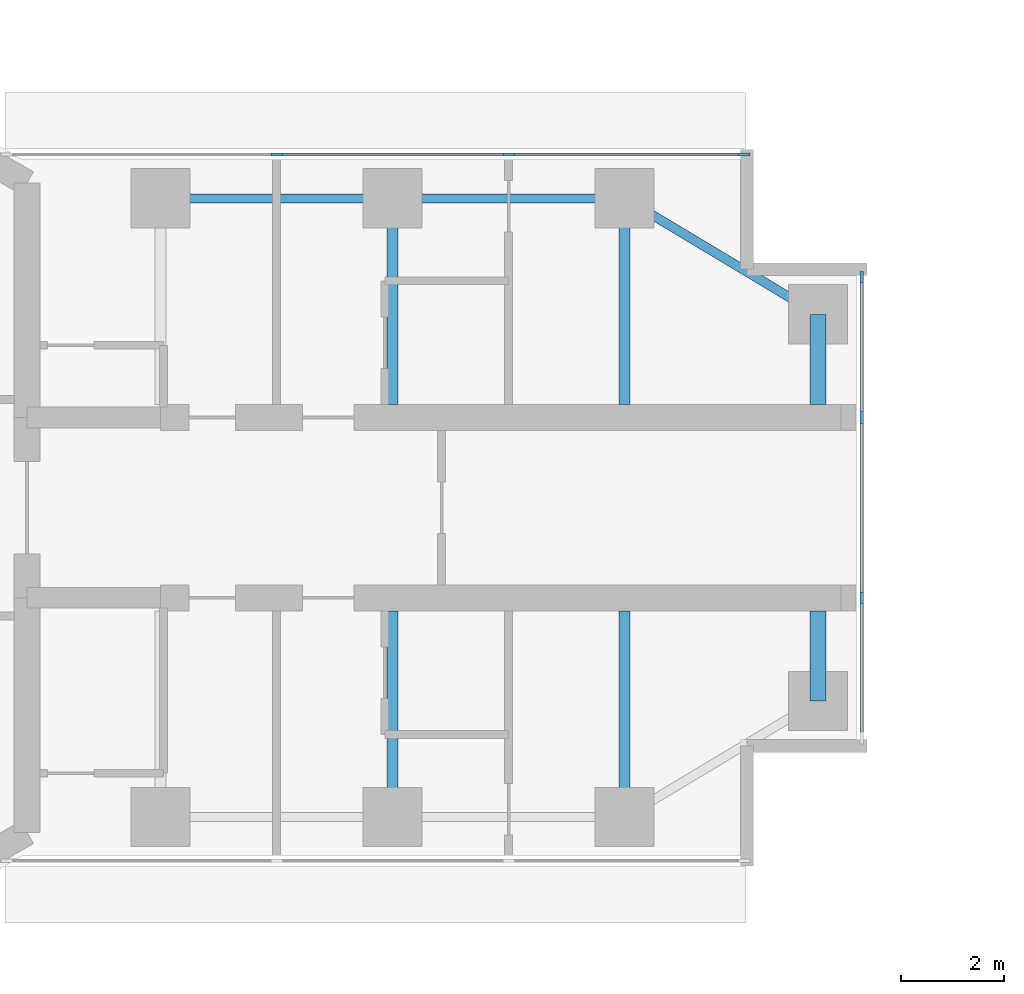
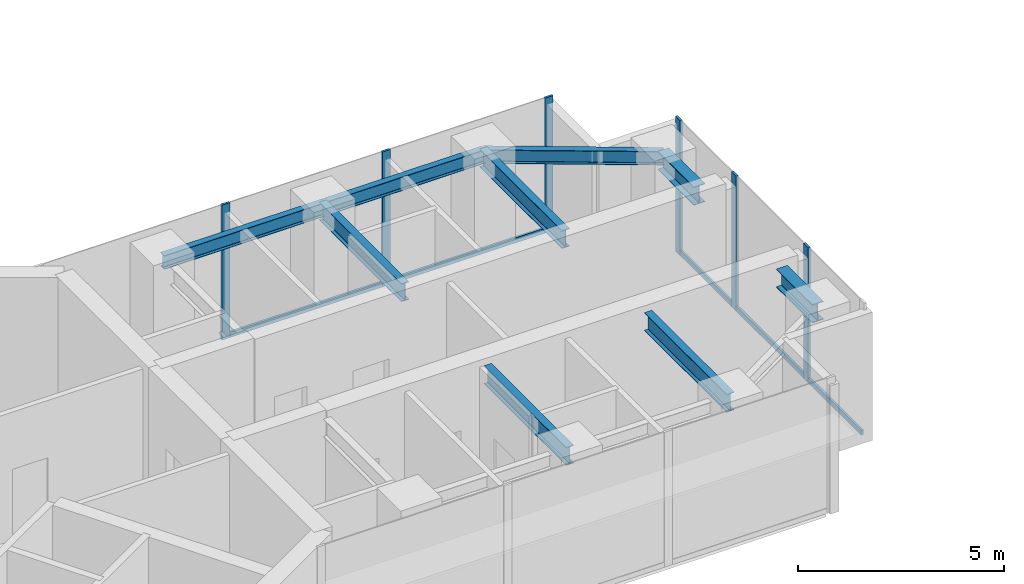
# One storey, part 7 of 17: 11 members, 9 beams, 2 elements without a shape of their own.
"""IFC4 building model written with IfcOpenShell, lengths in metres."""

from ifc_helpers import new_model, si_unit, direction, frame, origin, origin_2d, place, context, subcontext, project, spatial, rectangle, i_section, extrude, material, material_profile, profile_set, type_object, element, aggregate, save


model = new_model("IFC4")

# Units and contexts
model_context = context("Model", 3, precision=1e-05, world=origin(), true_north=direction((0.0, 1.0)))
body_context = subcontext(model_context, "Body", "Model", "MODEL_VIEW")
ifc_project = project(units=[si_unit("LENGTHUNIT", "METRE"), si_unit("AREAUNIT", "SQUARE_METRE"), si_unit("VOLUMEUNIT", "CUBIC_METRE"), si_unit("PLANEANGLEUNIT", "RADIAN"), si_unit("MASSUNIT", "GRAM", prefix="KILO")], contexts=[model_context])

# Site, building, storey
site_placement = place(None, origin())
site = spatial("IfcSite", under=ifc_project, at=site_placement, CompositionType="ELEMENT")
building_placement = place(site_placement, origin())
building = spatial("IfcBuilding", under=site, at=building_placement, Name="Upepo Twin Towers", CompositionType="ELEMENT")
storey_placement = place(building_placement, frame((0.0, 0.0, 214.5)))
storey = spatial("IfcBuildingStorey", under=building, at=storey_placement, Name="L52", CompositionType="ELEMENT", Elevation=214.5)

# Beams
ifc_material_1 = material(Name="Steel S355", Category="steel")
ifc_material_profile_1 = material_profile(ifc_material_1, i_section(OverallWidth=0.177978515625, OverallDepth=0.406494140625, WebThickness=0.0078125, FlangeThickness=0.0126953125, FilletRadius=0.01025390625, at=origin_2d()), Name="UB 406x178x60")
ifc_profile_set_1 = profile_set([ifc_material_profile_1], Name="Steel S355")
beam_type_1 = type_object("IfcBeamType", Name="Beam UB 406x178x60", PredefinedType="BEAM", material=ifc_profile_set_1)
for number, where, z_axis, x_axis, name in (
    (1, (13.5, 6.0, 3.5966796875), (1.0, 0.0, 0.0), (0.0, 1.0, 0.0), "T1 edge beam AL 13.5-18.0"),
    (2, (18.0, 6.0, 3.5966796875), (1.0, 0.0, 0.0), (0.0, 1.0, 0.0), "T1 edge beam AL 18.0-22.5"),
):
    element("IfcBeam", number, at=place(storey_placement, frame(where, z_axis=z_axis, x_axis=x_axis)), inside=storey, type_object=beam_type_1, Name=name, PredefinedType="BEAM", context=body_context, shape_type="SweptSolid", body=[
        extrude(i_section(OverallWidth=0.177978515625, OverallDepth=0.406494140625, WebThickness=0.0078125, FlangeThickness=0.0126953125, FilletRadius=0.01025390625, at=origin_2d()), origin(), (0.0, 0.0, 1.0), 4.5),
    ])
beam_placement = place(storey_placement, frame((22.5, 6.0, 3.5966796875), z_axis=(0.857492925713, -0.514495755428, 0.0), x_axis=(0.514495755428, 0.857492925713, 0.0)))
element("IfcBeam", 3, at=beam_placement, inside=storey, type_object=beam_type_1, Name="T1 nose edge beam AL", PredefinedType="BEAM", context=body_context, shape_type="SweptSolid", body=[
    extrude(i_section(OverallWidth=0.177978515625, OverallDepth=0.406494140625, WebThickness=0.0078125, FlangeThickness=0.0126953125, FilletRadius=0.01025390625, at=origin_2d()), origin(), (0.0, 0.0, 1.0), 4.373291015625),
])
ifc_material_2 = material(Name="Steel S355", Category="steel")
ifc_material_profile_2 = material_profile(ifc_material_2, i_section(OverallWidth=0.209228515625, OverallDepth=0.533203125, WebThickness=0.010009765625, FlangeThickness=0.015625, FilletRadius=0.0126953125, at=origin_2d()), Name="UB 533x210x92")
ifc_profile_set_2 = profile_set([ifc_material_profile_2], Name="Steel S355")
beam_type_2 = type_object("IfcBeamType", Name="Beam UB 533x210x92", PredefinedType="BEAM", material=ifc_profile_set_2)
for number, where, z_axis, x_axis, name in (
    (4, (18.0, 6.0, 3.533447265625), (0.0, -1.0, 0.0), (1.0, 0.0, 0.0), "T1 girder AL at 18.0"),
    (5, (22.5, 6.0, 3.533447265625), (0.0, -1.0, 0.0), (1.0, 0.0, 0.0), "T1 girder AL at 22.5"),
    (6, (18.0, -6.0, 3.533447265625), (0.0, 1.0, 0.0), (-1.0, 0.0, 0.0), "T1 girder AR at 18.0"),
    (7, (22.5, -6.0, 3.533447265625), (0.0, 1.0, 0.0), (-1.0, 0.0, 0.0), "T1 girder AR at 22.5"),
):
    element("IfcBeam", number, at=place(storey_placement, frame(where, z_axis=z_axis, x_axis=x_axis)), inside=storey, type_object=beam_type_2, Name=name, PredefinedType="BEAM", context=body_context, shape_type="SweptSolid", body=[
        extrude(i_section(OverallWidth=0.209228515625, OverallDepth=0.533203125, WebThickness=0.010009765625, FlangeThickness=0.015625, FilletRadius=0.0126953125, at=origin_2d()), origin(), (0.0, 0.0, 1.0), 4.0),
    ])
ifc_material_3 = material(Name="Steel S355", Category="steel")
ifc_material_profile_3 = material_profile(ifc_material_3, i_section(OverallWidth=0.31201171875, OverallDepth=0.54345703125, WebThickness=0.0126953125, FlangeThickness=0.020263671875, FilletRadius=0.0126953125, at=origin_2d()), Name="UB 533x312x150")
ifc_profile_set_3 = profile_set([ifc_material_profile_3], Name="Steel S355")
beam_type_3 = type_object("IfcBeamType", Name="Beam UB 533x312x150", PredefinedType="BEAM", material=ifc_profile_set_3)
for number, where, z_axis, x_axis, name in (
    (8, (26.25, 3.75, 3.5283203125), (0.0, -1.0, 0.0), (1.0, 0.0, 0.0), "T1 nose beam AL"),
    (9, (26.25, -3.75, 3.5283203125), (0.0, 1.0, 0.0), (-1.0, 0.0, 0.0), "T1 nose beam AR"),
):
    element("IfcBeam", number, at=place(storey_placement, frame(where, z_axis=z_axis, x_axis=x_axis)), inside=storey, type_object=beam_type_3, Name=name, PredefinedType="BEAM", context=body_context, shape_type="SweptSolid", body=[
        extrude(i_section(OverallWidth=0.31201171875, OverallDepth=0.54345703125, WebThickness=0.0126953125, FlangeThickness=0.020263671875, FilletRadius=0.0126953125, at=origin_2d()), origin(), (0.0, 0.0, 1.0), 1.75),
    ])

# Curtain wall, members
ifc_material_4 = material(Name="Aluminium and fritted glass", Category="aluminium")
curtain_wall_type = type_object("IfcCurtainWallType", Name="Tower curtain wall TW3, fritted glass", PredefinedType="NOTDEFINED", material=ifc_material_4)
curtain_wall_1_placement = place(storey_placement, origin())
curtain_wall_1 = element("IfcCurtainWall", 10, at=curtain_wall_1_placement, inside=storey, type_object=curtain_wall_type, Name="T1 L52 wing A flank L curtain wall", PredefinedType="NOTDEFINED")
ifc_material_5 = material(Name="Aluminium mullion", Category="aluminium")
ifc_material_profile_4 = material_profile(ifc_material_5, rectangle(XDim=0.06494140625, YDim=0.22509765625, at=origin_2d()), Name="MULLION 65x225")
ifc_profile_set_4 = profile_set([ifc_material_profile_4], Name="Aluminium mullion")
member_type_1 = type_object("IfcMemberType", Name="Mullion 65x225 TW3", PredefinedType="MULLION", material=ifc_profile_set_4)
member_1_placement = place(storey_placement, frame((15.75, 6.85009765625, 0.0), z_axis=(0.0, 0.0, 1.0), x_axis=(0.0, 1.0, 0.0)))
member_1 = element("IfcMember", 11, at=member_1_placement, type_object=member_type_1, Name="T1 L52 wing A flank L curtain wall mullion 2", PredefinedType="MULLION", context=body_context, shape_type="SweptSolid", body=[
    extrude(rectangle(XDim=0.06494140625, YDim=0.22509765625, at=origin_2d()), origin(), (0.0, 0.0, 1.0), 4.0),
])
member_2_placement = place(storey_placement, frame((20.25, 6.85009765625, 0.0), z_axis=(0.0, 0.0, 1.0), x_axis=(0.0, 1.0, 0.0)))
member_2 = element("IfcMember", 12, at=member_2_placement, type_object=member_type_1, Name="T1 L52 wing A flank L curtain wall mullion 3", PredefinedType="MULLION", context=body_context, shape_type="SweptSolid", body=[
    extrude(rectangle(XDim=0.06494140625, YDim=0.22509765625, at=origin_2d()), origin(), (0.0, 0.0, 1.0), 4.0),
])
member_3_placement = place(storey_placement, frame((24.8173828125, 6.85009765625, 0.0), z_axis=(0.0, 0.0, 1.0), x_axis=(0.0, 1.0, 0.0)))
member_3 = element("IfcMember", 13, at=member_3_placement, type_object=member_type_1, Name="T1 L52 wing A flank L curtain wall mullion 4", PredefinedType="MULLION", context=body_context, shape_type="SweptSolid", body=[
    extrude(rectangle(XDim=0.06494140625, YDim=0.22509765625, at=origin_2d()), origin(), (0.0, 0.0, 1.0), 4.0),
])

curtain_wall_2_placement = place(storey_placement, origin())
curtain_wall_2 = element("IfcCurtainWall", 14, at=curtain_wall_2_placement, inside=storey, type_object=curtain_wall_type, Name="T1 L52 wing A nose curtain wall", PredefinedType="NOTDEFINED")
member_4_placement = place(storey_placement, frame((27.10009765625, -1.75, 0.0), z_axis=(0.0, 0.0, 1.0), x_axis=(-1.0, 0.0, 0.0)))
member_4 = element("IfcMember", 15, at=member_4_placement, type_object=member_type_1, Name="T1 L52 wing A nose curtain wall mullion 2", PredefinedType="MULLION", context=body_context, shape_type="SweptSolid", body=[
    extrude(rectangle(XDim=0.06494140625, YDim=0.22509765625, at=origin_2d()), origin(), (0.0, 0.0, 1.0), 4.0),
])
member_5_placement = place(storey_placement, frame((27.10009765625, 1.75, 0.0), z_axis=(0.0, 0.0, 1.0), x_axis=(-1.0, 0.0, 0.0)))
member_5 = element("IfcMember", 16, at=member_5_placement, type_object=member_type_1, Name="T1 L52 wing A nose curtain wall mullion 3", PredefinedType="MULLION", context=body_context, shape_type="SweptSolid", body=[
    extrude(rectangle(XDim=0.06494140625, YDim=0.22509765625, at=origin_2d()), origin(), (0.0, 0.0, 1.0), 4.0),
])
member_6_placement = place(storey_placement, frame((27.10009765625, 4.467529296875, 0.0), z_axis=(0.0, 0.0, 1.0), x_axis=(-1.0, 0.0, 0.0)))
member_6 = element("IfcMember", 17, at=member_6_placement, type_object=member_type_1, Name="T1 L52 wing A nose curtain wall mullion 4", PredefinedType="MULLION", context=body_context, shape_type="SweptSolid", body=[
    extrude(rectangle(XDim=0.06494140625, YDim=0.22509765625, at=origin_2d()), origin(), (0.0, 0.0, 1.0), 4.0),
])

# Member
ifc_material_6 = material(Name="Aluminium transom", Category="aluminium")
ifc_material_profile_5 = material_profile(ifc_material_6, rectangle(XDim=0.06494140625, YDim=0.14990234375, at=origin_2d()), Name="TRANSOM 65x150")
ifc_profile_set_5 = profile_set([ifc_material_profile_5], Name="Aluminium transom")
member_type_2 = type_object("IfcMemberType", Name="Transom 65x150 TW3", PredefinedType="USERDEFINED", material=ifc_profile_set_5)
member_7_placement = place(storey_placement, frame((15.782470703125, 6.85009765625, 0.074951171875), z_axis=(1.0, 0.0, 0.0), x_axis=(0.0, 1.0, 0.0)))
member_7 = element("IfcMember", 18, at=member_7_placement, type_object=member_type_2, Name="T1 L52 wing A flank L curtain wall transom 2", ObjectType="TRANSOM", PredefinedType="USERDEFINED", context=body_context, shape_type="SweptSolid", body=[
    extrude(rectangle(XDim=0.06494140625, YDim=0.14990234375, at=origin_2d()), origin(), (0.0, 0.0, 1.0), 4.43505859375),
])

member_8_placement = place(storey_placement, frame((20.282470703125, 6.85009765625, 0.074951171875), z_axis=(1.0, 0.0, 0.0), x_axis=(0.0, 1.0, 0.0)))
member_8 = element("IfcMember", 19, at=member_8_placement, type_object=member_type_2, Name="T1 L52 wing A flank L curtain wall transom 3", ObjectType="TRANSOM", PredefinedType="USERDEFINED", context=body_context, shape_type="SweptSolid", body=[
    extrude(rectangle(XDim=0.06494140625, YDim=0.14990234375, at=origin_2d()), origin(), (0.0, 0.0, 1.0), 4.50244140625),
])

aggregate(curtain_wall_1, [member_1, member_2, member_3, member_7, member_8])

member_9_placement = place(storey_placement, frame((27.10009765625, -4.43505859375, 0.074951171875), z_axis=(0.0, 1.0, 0.0), x_axis=(-1.0, 0.0, 0.0)))
member_9 = element("IfcMember", 20, at=member_9_placement, type_object=member_type_2, Name="T1 L52 wing A nose curtain wall transom 1", ObjectType="TRANSOM", PredefinedType="USERDEFINED", context=body_context, shape_type="SweptSolid", body=[
    extrude(rectangle(XDim=0.06494140625, YDim=0.14990234375, at=origin_2d()), origin(), (0.0, 0.0, 1.0), 2.652587890625),
])

member_10_placement = place(storey_placement, frame((27.10009765625, -1.717529296875, 0.074951171875), z_axis=(0.0, 1.0, 0.0), x_axis=(-1.0, 0.0, 0.0)))
member_10 = element("IfcMember", 21, at=member_10_placement, type_object=member_type_2, Name="T1 L52 wing A nose curtain wall transom 2", ObjectType="TRANSOM", PredefinedType="USERDEFINED", context=body_context, shape_type="SweptSolid", body=[
    extrude(rectangle(XDim=0.06494140625, YDim=0.14990234375, at=origin_2d()), origin(), (0.0, 0.0, 1.0), 3.43505859375),
])

member_11_placement = place(storey_placement, frame((27.10009765625, 1.782470703125, 0.074951171875), z_axis=(0.0, 1.0, 0.0), x_axis=(-1.0, 0.0, 0.0)))
member_11 = element("IfcMember", 22, at=member_11_placement, type_object=member_type_2, Name="T1 L52 wing A nose curtain wall transom 3", ObjectType="TRANSOM", PredefinedType="USERDEFINED", context=body_context, shape_type="SweptSolid", body=[
    extrude(rectangle(XDim=0.06494140625, YDim=0.14990234375, at=origin_2d()), origin(), (0.0, 0.0, 1.0), 2.652587890625),
])

aggregate(curtain_wall_2, [member_4, member_5, member_6, member_9, member_10, member_11])

save(model, "model.ifc")
